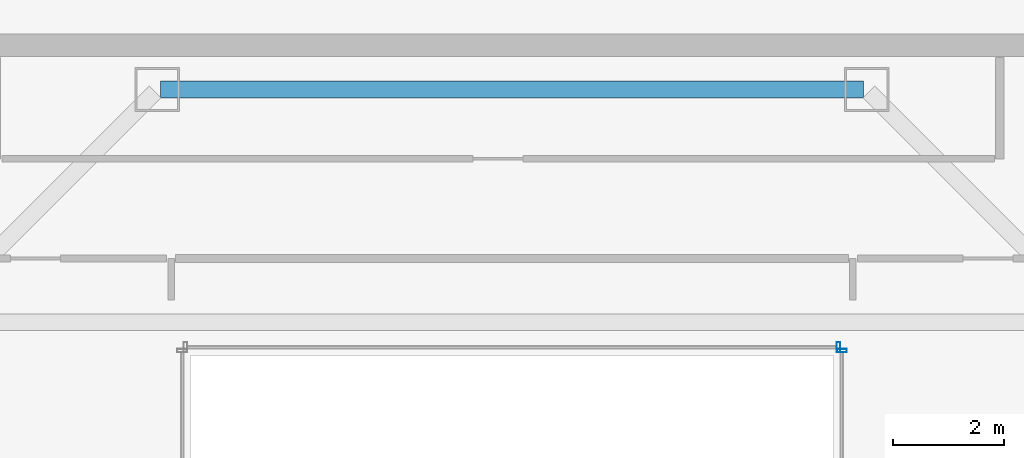
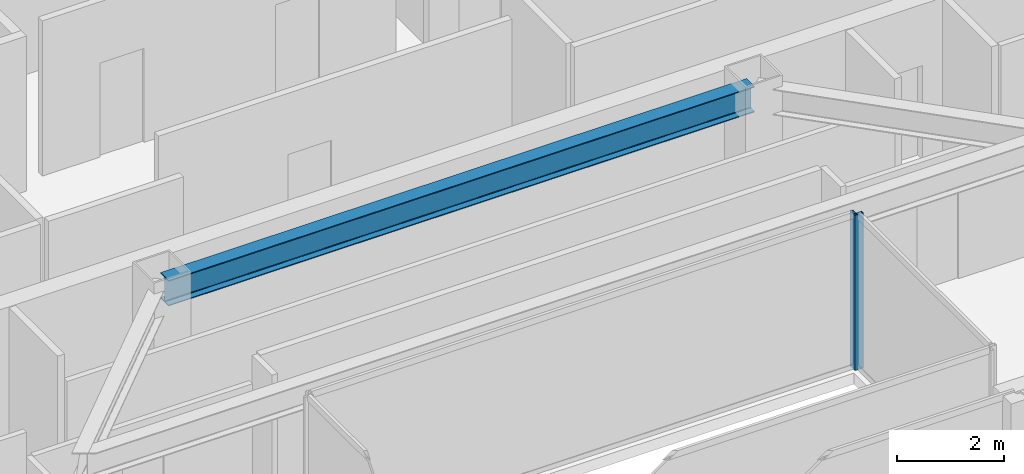
# One storey, part 11 of 32: 2 members, 1 beam, 2 elements without a shape of their own.
"""IFC4 building model written with IfcOpenShell, lengths in metres."""

from ifc_helpers import new_model, si_unit, direction, frame, origin, origin_2d, place, context, subcontext, project, spatial, hollow_rectangle, i_section, extrude, material, material_profile, profile_set, type_object, element, aggregate, save


model = new_model("IFC4")

# Units and contexts
model_context = context("Model", 3, precision=1e-05, world=origin(), true_north=direction((0.0, 1.0)))
body_context = subcontext(model_context, "Body", "Model", "MODEL_VIEW")
ifc_project = project(units=[si_unit("LENGTHUNIT", "METRE"), si_unit("AREAUNIT", "SQUARE_METRE"), si_unit("VOLUMEUNIT", "CUBIC_METRE"), si_unit("PLANEANGLEUNIT", "RADIAN"), si_unit("MASSUNIT", "GRAM", prefix="KILO")], contexts=[model_context])

# Site, building, storey
site_placement = place(None, origin())
site = spatial("IfcSite", under=ifc_project, at=site_placement, CompositionType="ELEMENT")
building_placement = place(site_placement, origin())
building = spatial("IfcBuilding", under=site, at=building_placement, Name="Saevonmaru Cultural Tower", CompositionType="ELEMENT")
storey_placement = place(building_placement, frame((0.0, 0.0, 245.800048828125)))
storey = spatial("IfcBuildingStorey", under=building, at=storey_placement, Name="L57", CompositionType="ELEMENT", Elevation=245.800048828125)

# Beam
ifc_material_1 = material(Name="Steel SM355", Category="steel")
ifc_material_profile_1 = material_profile(ifc_material_1, i_section(OverallWidth=0.300048828125, OverallDepth=0.587890625, WebThickness=0.011962890625, FlangeThickness=0.02001953125, FilletRadius=0.02392578125, at=origin_2d()), Name="H-588x300x12x20")
ifc_profile_set_1 = profile_set([ifc_material_profile_1], Name="Steel SM355")
beam_type = type_object("IfcBeamType", Name="BM-G-H588", PredefinedType="BEAM", material=ifc_profile_set_1)
beam_placement = place(storey_placement, frame((23.659912109375, 42.39990234375, 3.255859375), z_axis=(1.0, 0.0, 0.0), x_axis=(0.0, 1.0, 0.0)))
element("IfcBeam", 1, at=beam_placement, inside=storey, type_object=beam_type, Name="L57 Core South Girder 3", PredefinedType="BEAM", context=body_context, shape_type="SweptSolid", body=[
    extrude(i_section(OverallWidth=0.300048828125, OverallDepth=0.587890625, WebThickness=0.011962890625, FlangeThickness=0.02001953125, FilletRadius=0.02392578125, at=origin_2d()), origin(), (0.0, 0.0, 1.0), 12.68017578125),
])

# Curtain wall, member
ifc_material_2 = material(Name="Satin Bronze Anodised Aluminium", Category="aluminium")
curtain_wall_type = type_object("IfcCurtainWallType", Name="CW-ATR-GLZ", PredefinedType="NOTDEFINED", material=ifc_material_2)
curtain_wall_1_placement = place(storey_placement, origin())
curtain_wall_1 = element("IfcCurtainWall", 2, at=curtain_wall_1_placement, inside=storey, type_object=curtain_wall_type, Name="L57 Vertical Atrium Glazed Smoke Screen 2", PredefinedType="NOTDEFINED")
ifc_material_profile_2 = material_profile(ifc_material_2, hollow_rectangle(XDim=0.06494140625, YDim=0.179931640625, WallThickness=0.00390625, at=origin_2d()), Name="ALU-MULL-180x65x4")
ifc_profile_set_2 = profile_set([ifc_material_profile_2], Name="Satin Bronze Anodised Aluminium")
member_type = type_object("IfcMemberType", Name="ML-CW-INT-180x65", PredefinedType="MULLION", material=ifc_profile_set_2)
member_1_placement = place(storey_placement, frame((35.949951171875, 37.68994140625, 0.0), z_axis=(0.0, 0.0, 1.0), x_axis=(0.0, 1.0, 0.0)))
member_1 = element("IfcMember", 3, at=member_1_placement, type_object=member_type, Name="CW-ATR-L57-2 mullion 2", PredefinedType="MULLION", context=body_context, shape_type="SweptSolid", body=[
    extrude(hollow_rectangle(XDim=0.06494140625, YDim=0.179931640625, WallThickness=0.00390625, at=origin_2d()), origin(), (0.0, 0.0, 1.0), 3.550048828125),
])
aggregate(curtain_wall_1, [member_1])

curtain_wall_2_placement = place(storey_placement, origin())
curtain_wall_2 = element("IfcCurtainWall", 4, at=curtain_wall_2_placement, inside=storey, type_object=curtain_wall_type, Name="L57 Vertical Atrium Glazed Smoke Screen 3", PredefinedType="NOTDEFINED")
member_2_placement = place(storey_placement, frame((35.889892578125, 37.75, 0.0), z_axis=(0.0, 0.0, 1.0), x_axis=(-1.0, 0.0, 0.0)))
member_2 = element("IfcMember", 5, at=member_2_placement, type_object=member_type, Name="CW-ATR-L57-3 mullion 1", PredefinedType="MULLION", context=body_context, shape_type="SweptSolid", body=[
    extrude(hollow_rectangle(XDim=0.06494140625, YDim=0.179931640625, WallThickness=0.00390625, at=origin_2d()), origin(), (0.0, 0.0, 1.0), 3.550048828125),
])
aggregate(curtain_wall_2, [member_2])

save(model, "model.ifc")
